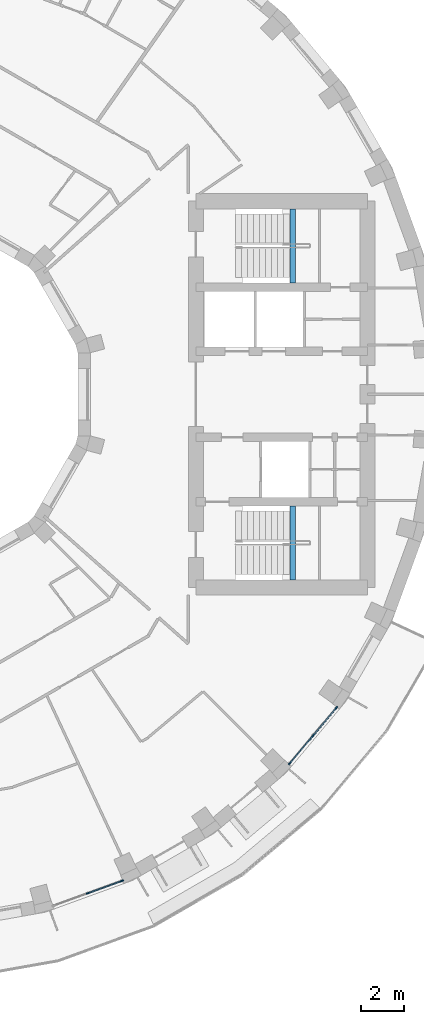
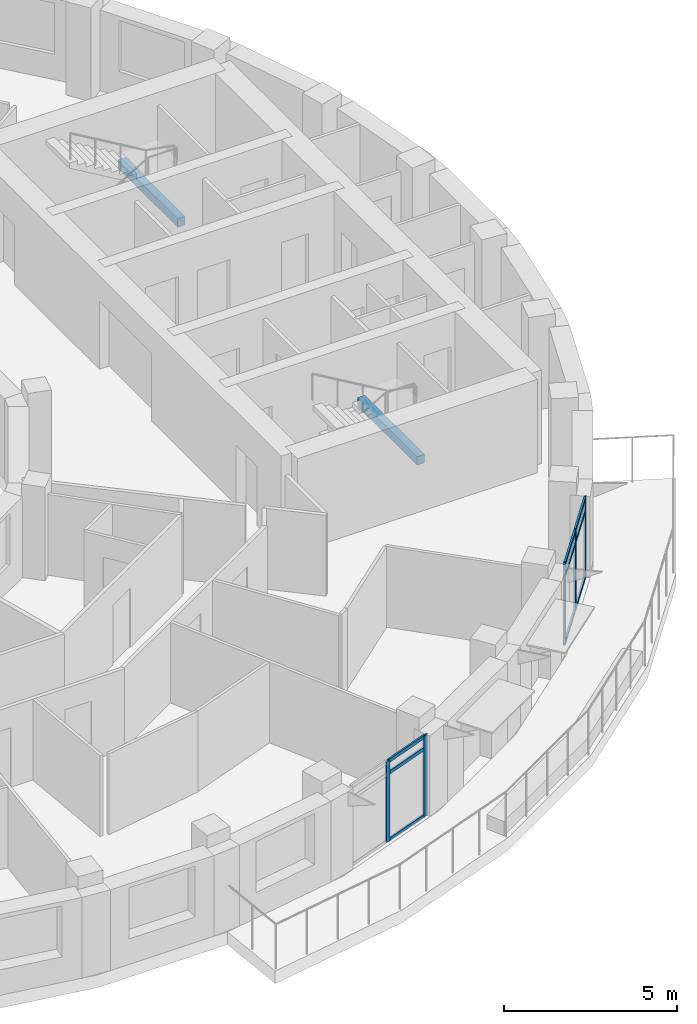
# One storey, part 4 of 15: 14 members, 2 beams, 2 elements without a shape of their own.
"""IFC4 building model written with IfcOpenShell, lengths in metres."""

from ifc_helpers import new_model, si_unit, direction, frame, origin, origin_2d, place, context, subcontext, project, spatial, rectangle, extrude, material, layer, layer_set, material_profile, profile_set, type_object, element, aggregate, save


model = new_model("IFC4")

# Units and contexts
model_context = context("Model", 3, precision=1e-05, world=origin(), true_north=direction((0.0, 1.0)))
body_context = subcontext(model_context, "Body", "Model", "MODEL_VIEW")
ifc_project = project(units=[si_unit("LENGTHUNIT", "METRE"), si_unit("AREAUNIT", "SQUARE_METRE"), si_unit("VOLUMEUNIT", "CUBIC_METRE"), si_unit("PLANEANGLEUNIT", "RADIAN"), si_unit("MASSUNIT", "GRAM", prefix="KILO")], contexts=[model_context])

# Site, building, storey
site_placement = place(None, origin())
site = spatial("IfcSite", under=ifc_project, at=site_placement, CompositionType="ELEMENT")
building_placement = place(site_placement, origin())
building = spatial("IfcBuilding", under=site, at=building_placement, Name="Saqina Gate Tower", CompositionType="ELEMENT")
storey_placement = place(building_placement, frame((0.0, 0.0, 164.10009765625)))
storey = spatial("IfcBuildingStorey", under=building, at=storey_placement, Name="L46", CompositionType="ELEMENT", Elevation=164.10009765625)

# Curtain wall, members
ifc_material_1 = material(Name="Aluminium glazing", Category="aluminium")
ifc_layer = layer(ifc_material_1, 0.159912109375)
ifc_layer_set = layer_set([ifc_layer], Name="CWT-4")
curtain_wall_type = type_object("IfcCurtainWallType", Name="CWT-4", PredefinedType="NOTDEFINED", material=ifc_layer_set)
curtain_wall_1_placement = place(storey_placement, origin())
curtain_wall_1 = element("IfcCurtainWall", 1, at=curtain_wall_1_placement, inside=storey, type_object=curtain_wall_type, Name="Terrace lounge glazing facet 29", PredefinedType="NOTDEFINED")
ifc_material_2 = material(Name="Aluminium", Category="aluminium")
ifc_material_profile_1 = material_profile(ifc_material_2, rectangle(XDim=0.06005859375, YDim=0.159912109375, at=origin_2d()), Name="Aluminium 60x160")
ifc_profile_set_1 = profile_set([ifc_material_profile_1], Name="Aluminium")
member_type_1 = type_object("IfcMemberType", Name="CWT-4M", PredefinedType="MULLION", material=ifc_profile_set_1)
member_1_placement = place(storey_placement, frame((8.466552734375, -23.261962890625, 0.0), z_axis=(0.0, 0.0, 1.0), x_axis=(-0.342024671777, 0.939690972552, 0.0)))
member_1 = element("IfcMember", 2, at=member_1_placement, type_object=member_type_1, Name="CW4-29 mullion 2", PredefinedType="MULLION", context=body_context, shape_type="SweptSolid", body=[
    extrude(rectangle(XDim=0.06005859375, YDim=0.159912109375, at=origin_2d()), origin(), (0.0, 0.0, 1.0), 2.849853515625),
])
member_2_placement = place(storey_placement, frame((10.059326171875, -22.682373046875, 0.0), z_axis=(0.0, 0.0, 1.0), x_axis=(-0.342024671777, 0.939690972552, 0.0)))
member_2 = element("IfcMember", 3, at=member_2_placement, type_object=member_type_1, Name="CW4-29 mullion 3", PredefinedType="MULLION", context=body_context, shape_type="SweptSolid", body=[
    extrude(rectangle(XDim=0.06005859375, YDim=0.159912109375, at=origin_2d()), origin(), (0.0, 0.0, 1.0), 2.849853515625),
])

curtain_wall_2_placement = place(storey_placement, origin())
curtain_wall_2 = element("IfcCurtainWall", 4, at=curtain_wall_2_placement, inside=storey, type_object=curtain_wall_type, Name="Terrace lounge glazing facet 32", PredefinedType="NOTDEFINED")
member_3_placement = place(storey_placement, frame((17.873779296875, -17.21044921875, 0.0), z_axis=(0.0, 0.0, 1.0), x_axis=(-0.766042815286, 0.642789549658, 0.0)))
member_3 = element("IfcMember", 5, at=member_3_placement, type_object=member_type_1, Name="CW4-32 mullion 1", PredefinedType="MULLION", context=body_context, shape_type="SweptSolid", body=[
    extrude(rectangle(XDim=0.06005859375, YDim=0.159912109375, at=origin_2d()), origin(), (0.0, 0.0, 1.0), 2.849853515625),
])
member_4_placement = place(storey_placement, frame((18.96337890625, -15.912109375, 0.0), z_axis=(0.0, 0.0, 1.0), x_axis=(-0.766042815286, 0.642789549658, 0.0)))
member_4 = element("IfcMember", 6, at=member_4_placement, type_object=member_type_1, Name="CW4-32 mullion 2", PredefinedType="MULLION", context=body_context, shape_type="SweptSolid", body=[
    extrude(rectangle(XDim=0.06005859375, YDim=0.159912109375, at=origin_2d()), origin(), (0.0, 0.0, 1.0), 2.849853515625),
])
member_5_placement = place(storey_placement, frame((20.052734375, -14.61376953125, 0.0), z_axis=(0.0, 0.0, 1.0), x_axis=(-0.766042815286, 0.642789549658, 0.0)))
member_5 = element("IfcMember", 7, at=member_5_placement, type_object=member_type_1, Name="CW4-32 mullion 3", PredefinedType="MULLION", context=body_context, shape_type="SweptSolid", body=[
    extrude(rectangle(XDim=0.06005859375, YDim=0.159912109375, at=origin_2d()), origin(), (0.0, 0.0, 1.0), 2.849853515625),
])

# Member
ifc_material_3 = material(Name="Aluminium", Category="aluminium")
ifc_material_profile_2 = material_profile(ifc_material_3, rectangle(XDim=0.06005859375, YDim=0.1201171875, at=origin_2d()), Name="Aluminium 60x120")
ifc_profile_set_2 = profile_set([ifc_material_profile_2], Name="Aluminium")
member_type_2 = type_object("IfcMemberType", Name="CWT-4T", PredefinedType="USERDEFINED", material=ifc_profile_set_2)
member_6_placement = place(storey_placement, frame((8.494873046875, -23.251708984375, 0.02978515625), z_axis=(0.939697454915, 0.342006861373, 0.0), x_axis=(-0.342006861373, 0.939697454915, 0.0)))
member_6 = element("IfcMember", 8, at=member_6_placement, type_object=member_type_2, Name="CW4-29 transom 2.1", ObjectType="TRANSOM", PredefinedType="USERDEFINED", context=body_context, shape_type="SweptSolid", body=[
    extrude(rectangle(XDim=0.06005859375, YDim=0.1201171875, at=origin_2d()), origin(), (0.0, 0.0, 1.0), 1.634765625),
])

member_7_placement = place(storey_placement, frame((8.494873046875, -23.251708984375, 2.39990234375), z_axis=(0.939697454915, 0.342006861373, 0.0), x_axis=(-0.342006861373, 0.939697454915, 0.0)))
member_7 = element("IfcMember", 9, at=member_7_placement, type_object=member_type_2, Name="CW4-29 transom 2.2", ObjectType="TRANSOM", PredefinedType="USERDEFINED", context=body_context, shape_type="SweptSolid", body=[
    extrude(rectangle(XDim=0.06005859375, YDim=0.1201171875, at=origin_2d()), origin(), (0.0, 0.0, 1.0), 1.634765625),
])

member_8_placement = place(storey_placement, frame((8.494873046875, -23.251708984375, 2.81982421875), z_axis=(0.939697454915, 0.342006861373, 0.0), x_axis=(-0.342006861373, 0.939697454915, 0.0)))
member_8 = element("IfcMember", 10, at=member_8_placement, type_object=member_type_2, Name="CW4-29 transom 2.3", ObjectType="TRANSOM", PredefinedType="USERDEFINED", context=body_context, shape_type="SweptSolid", body=[
    extrude(rectangle(XDim=0.06005859375, YDim=0.1201171875, at=origin_2d()), origin(), (0.0, 0.0, 1.0), 1.634765625),
])

aggregate(curtain_wall_1, [member_1, member_2, member_6, member_7, member_8])

member_9_placement = place(storey_placement, frame((17.89306640625, -17.1875, 0.02978515625), z_axis=(0.642824314284, 0.766013642806, 0.0), x_axis=(-0.766013642806, 0.642824314284, 0.0)))
member_9 = element("IfcMember", 11, at=member_9_placement, type_object=member_type_2, Name="CW4-32 transom 1.1", ObjectType="TRANSOM", PredefinedType="USERDEFINED", context=body_context, shape_type="SweptSolid", body=[
    extrude(rectangle(XDim=0.06005859375, YDim=0.1201171875, at=origin_2d()), origin(), (0.0, 0.0, 1.0), 1.635009765625),
])

member_10_placement = place(storey_placement, frame((17.89306640625, -17.1875, 2.39990234375), z_axis=(0.642824314284, 0.766013642806, 0.0), x_axis=(-0.766013642806, 0.642824314284, 0.0)))
member_10 = element("IfcMember", 12, at=member_10_placement, type_object=member_type_2, Name="CW4-32 transom 1.2", ObjectType="TRANSOM", PredefinedType="USERDEFINED", context=body_context, shape_type="SweptSolid", body=[
    extrude(rectangle(XDim=0.06005859375, YDim=0.1201171875, at=origin_2d()), origin(), (0.0, 0.0, 1.0), 1.635009765625),
])

member_11_placement = place(storey_placement, frame((17.89306640625, -17.1875, 2.81982421875), z_axis=(0.642824314284, 0.766013642806, 0.0), x_axis=(-0.766013642806, 0.642824314284, 0.0)))
member_11 = element("IfcMember", 13, at=member_11_placement, type_object=member_type_2, Name="CW4-32 transom 1.3", ObjectType="TRANSOM", PredefinedType="USERDEFINED", context=body_context, shape_type="SweptSolid", body=[
    extrude(rectangle(XDim=0.06005859375, YDim=0.1201171875, at=origin_2d()), origin(), (0.0, 0.0, 1.0), 1.635009765625),
])

member_12_placement = place(storey_placement, frame((18.982666015625, -15.88916015625, 0.02978515625), z_axis=(0.642736683908, 0.766087172037, 0.0), x_axis=(-0.766087172037, 0.642736683908, 0.0)))
member_12 = element("IfcMember", 14, at=member_12_placement, type_object=member_type_2, Name="CW4-32 transom 2.1", ObjectType="TRANSOM", PredefinedType="USERDEFINED", context=body_context, shape_type="SweptSolid", body=[
    extrude(rectangle(XDim=0.06005859375, YDim=0.1201171875, at=origin_2d()), origin(), (0.0, 0.0, 1.0), 1.634765625),
])

member_13_placement = place(storey_placement, frame((18.982666015625, -15.88916015625, 2.39990234375), z_axis=(0.642736683908, 0.766087172037, 0.0), x_axis=(-0.766087172037, 0.642736683908, 0.0)))
member_13 = element("IfcMember", 15, at=member_13_placement, type_object=member_type_2, Name="CW4-32 transom 2.2", ObjectType="TRANSOM", PredefinedType="USERDEFINED", context=body_context, shape_type="SweptSolid", body=[
    extrude(rectangle(XDim=0.06005859375, YDim=0.1201171875, at=origin_2d()), origin(), (0.0, 0.0, 1.0), 1.634765625),
])

member_14_placement = place(storey_placement, frame((18.982666015625, -15.88916015625, 2.81982421875), z_axis=(0.642736683908, 0.766087172037, 0.0), x_axis=(-0.766087172037, 0.642736683908, 0.0)))
member_14 = element("IfcMember", 16, at=member_14_placement, type_object=member_type_2, Name="CW4-32 transom 2.3", ObjectType="TRANSOM", PredefinedType="USERDEFINED", context=body_context, shape_type="SweptSolid", body=[
    extrude(rectangle(XDim=0.06005859375, YDim=0.1201171875, at=origin_2d()), origin(), (0.0, 0.0, 1.0), 1.634765625),
])

aggregate(curtain_wall_2, [member_3, member_4, member_5, member_9, member_10, member_11, member_12, member_13, member_14])

# Beams
ifc_material_4 = material(Name="Concrete C40/50", Category="concrete")
ifc_material_profile_3 = material_profile(ifc_material_4, rectangle(XDim=0.25, YDim=0.300048828125, at=origin_2d()), Name="STAIR LANDING BEAM")
ifc_profile_set_3 = profile_set([ifc_material_profile_3], Name="Concrete C40/50")
beam_type = type_object("IfcBeamType", Name="STAIR LANDING BEAM", PredefinedType="BEAM", material=ifc_profile_set_3)
for number, where, z_axis, x_axis, name in (
    (17, (18.02001953125, 5.199951171875, 1.25), (0.0, 1.0, 0.0), (-1.0, 0.0, 0.0), "EXIT STAIR 1 LANDING BEAM"),
    (18, (18.02001953125, -8.64990234375, 1.25), (0.0, 1.0, 0.0), (-1.0, 0.0, 0.0), "EXIT STAIR 2 LANDING BEAM"),
):
    element("IfcBeam", number, at=place(storey_placement, frame(where, z_axis=z_axis, x_axis=x_axis)), inside=storey, type_object=beam_type, Name=name, PredefinedType="BEAM", context=body_context, shape_type="SweptSolid", body=[
        extrude(rectangle(XDim=0.25, YDim=0.300048828125, at=origin_2d()), origin(), (0.0, 0.0, 1.0), 3.449951171875),
    ])

save(model, "model.ifc")
